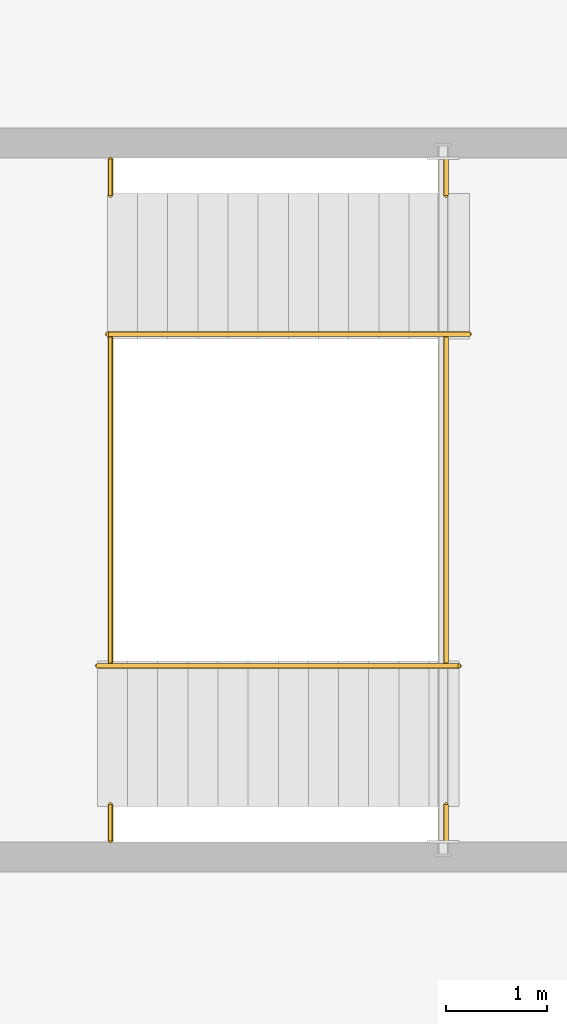
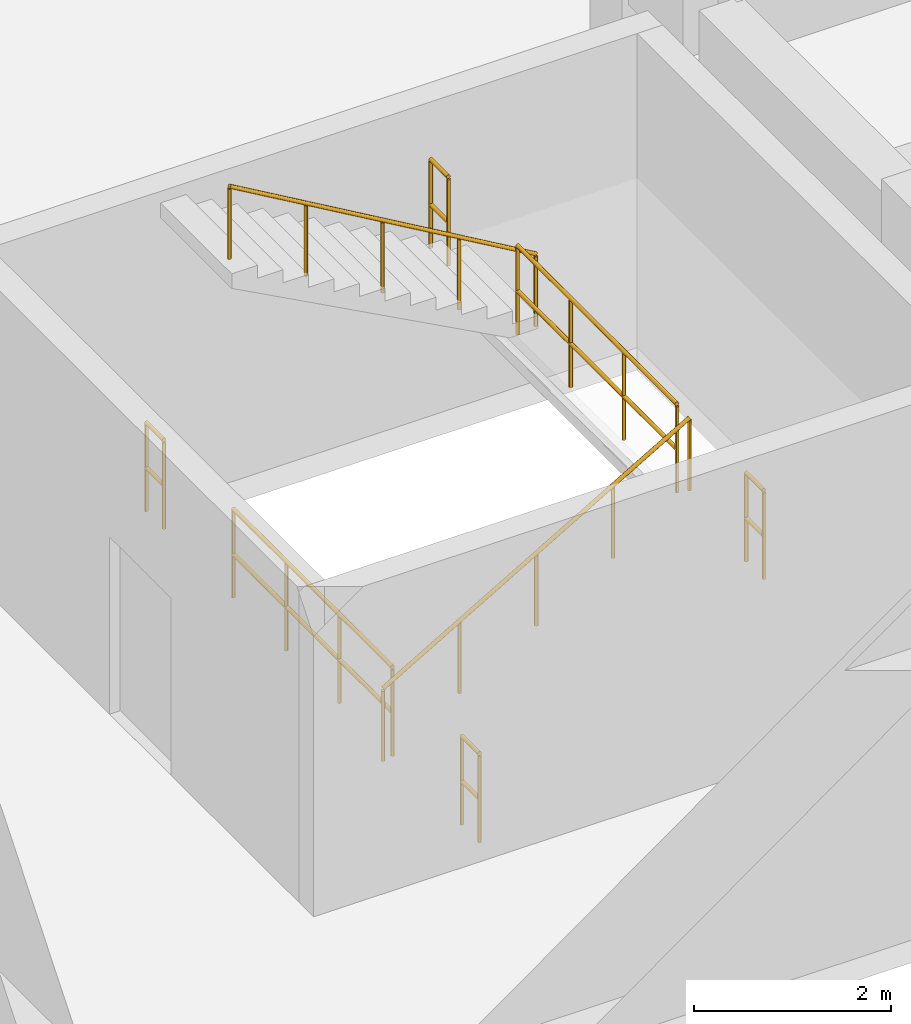
# One storey, part 31 of 35: 8 railings.
"""IFC4 building model written with IfcOpenShell, lengths in metres."""

from ifc_helpers import new_model, si_unit, direction, frame, origin, origin_2d, place, context, subcontext, project, spatial, circle, extrude, material, type_object, element, save


model = new_model("IFC4")

# Units and contexts
model_context = context("Model", 3, precision=1e-05, world=origin(), true_north=direction((0.0, 1.0)))
body_context = subcontext(model_context, "Body", "Model", "MODEL_VIEW")
ifc_project = project(units=[si_unit("LENGTHUNIT", "METRE"), si_unit("AREAUNIT", "SQUARE_METRE"), si_unit("VOLUMEUNIT", "CUBIC_METRE"), si_unit("PLANEANGLEUNIT", "RADIAN"), si_unit("MASSUNIT", "GRAM", prefix="KILO"), si_unit("THERMODYNAMICTEMPERATUREUNIT", "KELVIN"), si_unit("POWERUNIT", "WATT")], contexts=[model_context])

# Site, building, storey
site_placement = place(None, origin())
site = spatial("IfcSite", under=ifc_project, at=site_placement, CompositionType="ELEMENT")
building_placement = place(site_placement, origin())
building = spatial("IfcBuilding", under=site, at=building_placement, Name="Solvatero Civic Police Headquarters", CompositionType="ELEMENT")
storey_placement = place(building_placement, frame((0.0, 0.0, -4.199951171875)))
storey = spatial("IfcBuildingStorey", under=building, at=storey_placement, Name="B01", CompositionType="ELEMENT", Elevation=-4.199951171875)

# Railings
ifc_material_1 = material(Name="Painted Galvanized Steel", Category="steel")
railing_type_1 = type_object("IfcRailingType", Name="RL-GRD-110", PredefinedType="GUARDRAIL", material=ifc_material_1)
railing_1_placement = place(storey_placement, frame((115.429931640625, 9.97998046875, 0.0)))
element("IfcRailing", 1, at=railing_1_placement, inside=storey, type_object=railing_type_1, Name="ST-C5 B01 Floor Well Guardrail", PredefinedType="GUARDRAIL", context=body_context, shape_type="SweptSolid", body=[
    extrude(circle(Radius=0.02392578125, at=origin_2d()), frame((0.0, 0.0, 1.09619140625), z_axis=(0.0, 1.0, 0.0), x_axis=(-1.0, 0.0, 0.0)), (0.0, 0.0, 1.0), 3.239990234375),
    extrude(circle(Radius=0.02392578125, at=origin_2d()), frame((0.0, 0.0, 0.5361328125), z_axis=(0.0, 1.0, 0.0), x_axis=(-1.0, 0.0, 0.0)), (0.0, 0.0, 1.0), 3.239990234375),
    extrude(circle(Radius=0.02099609375, at=origin_2d()), origin(), (0.0, 0.0, 1.0), 1.072021484375),
    extrude(circle(Radius=0.02099609375, at=origin_2d()), frame((0.0, 1.080078125, 0.0)), (0.0, 0.0, 1.0), 1.072021484375),
    extrude(circle(Radius=0.02099609375, at=origin_2d()), frame((0.0, 2.159912109375, 0.0)), (0.0, 0.0, 1.0), 1.072021484375),
    extrude(circle(Radius=0.02099609375, at=origin_2d()), frame((0.0, 3.239990234375, 0.0)), (0.0, 0.0, 1.0), 1.072021484375),
])
for number, where, name in (
    (2, (115.429931640625, 8.2099609375, 0.0), "ST-C5 B01 Floor Well South Slot Guardrail"),
    (3, (115.429931640625, 14.6298828125, 0.0), "ST-C5 B01 Floor Well North Slot Guardrail"),
):
    element("IfcRailing", number, at=place(storey_placement, frame(where)), inside=storey, type_object=railing_type_1, Name=name, PredefinedType="GUARDRAIL", context=body_context, shape_type="SweptSolid", body=[
        extrude(circle(Radius=0.02392578125, at=origin_2d()), frame((0.0, 0.0, 1.09619140625), z_axis=(0.0, 1.0, 0.0), x_axis=(-1.0, 0.0, 0.0)), (0.0, 0.0, 1.0), 0.360107421875),
        extrude(circle(Radius=0.02392578125, at=origin_2d()), frame((0.0, 0.0, 0.5361328125), z_axis=(0.0, 1.0, 0.0), x_axis=(-1.0, 0.0, 0.0)), (0.0, 0.0, 1.0), 0.360107421875),
        extrude(circle(Radius=0.02099609375, at=origin_2d()), origin(), (0.0, 0.0, 1.0), 1.072021484375),
        extrude(circle(Radius=0.02099609375, at=origin_2d()), frame((0.0, 0.360107421875, 0.0)), (0.0, 0.0, 1.0), 1.072021484375),
    ])
railing_2_placement = place(storey_placement, frame((118.77001953125, 9.97998046875, 2.099853515625)))
element("IfcRailing", 4, at=railing_2_placement, inside=storey, type_object=railing_type_1, Name="ST-C5 B01 Half-Landing Well Guardrail", PredefinedType="GUARDRAIL", context=body_context, shape_type="SweptSolid", body=[
    extrude(circle(Radius=0.02392578125, at=origin_2d()), frame((0.0, 0.0, 1.09619140625), z_axis=(0.0, 1.0, 0.0), x_axis=(-1.0, 0.0, 0.0)), (0.0, 0.0, 1.0), 3.239990234375),
    extrude(circle(Radius=0.02392578125, at=origin_2d()), frame((0.0, 0.0, 0.5361328125), z_axis=(0.0, 1.0, 0.0), x_axis=(-1.0, 0.0, 0.0)), (0.0, 0.0, 1.0), 3.239990234375),
    extrude(circle(Radius=0.02099609375, at=origin_2d()), origin(), (0.0, 0.0, 1.0), 1.072021484375),
    extrude(circle(Radius=0.02099609375, at=origin_2d()), frame((0.0, 1.080078125, 0.0)), (0.0, 0.0, 1.0), 1.072021484375),
    extrude(circle(Radius=0.02099609375, at=origin_2d()), frame((0.0, 2.159912109375, 0.0)), (0.0, 0.0, 1.0), 1.072021484375),
    extrude(circle(Radius=0.02099609375, at=origin_2d()), frame((0.0, 3.239990234375, 0.0)), (0.0, 0.0, 1.0), 1.072021484375),
])
for number, where, name in (
    (5, (118.77001953125, 8.2099609375, 2.099853515625), "ST-C5 B01 Half-Landing South Slot Guardrail"),
    (6, (118.77001953125, 14.6298828125, 2.099853515625), "ST-C5 B01 Half-Landing North Slot Guardrail"),
):
    element("IfcRailing", number, at=place(storey_placement, frame(where)), inside=storey, type_object=railing_type_1, Name=name, PredefinedType="GUARDRAIL", context=body_context, shape_type="SweptSolid", body=[
        extrude(circle(Radius=0.02392578125, at=origin_2d()), frame((0.0, 0.0, 1.09619140625), z_axis=(0.0, 1.0, 0.0), x_axis=(-1.0, 0.0, 0.0)), (0.0, 0.0, 1.0), 0.360107421875),
        extrude(circle(Radius=0.02392578125, at=origin_2d()), frame((0.0, 0.0, 0.5361328125), z_axis=(0.0, 1.0, 0.0), x_axis=(-1.0, 0.0, 0.0)), (0.0, 0.0, 1.0), 0.360107421875),
        extrude(circle(Radius=0.02099609375, at=origin_2d()), origin(), (0.0, 0.0, 1.0), 1.072021484375),
        extrude(circle(Radius=0.02099609375, at=origin_2d()), frame((0.0, 0.360107421875, 0.0)), (0.0, 0.0, 1.0), 1.072021484375),
    ])
ifc_material_2 = material(Name="Brushed Stainless Steel", Category="steel")
railing_type_2 = type_object("IfcRailingType", Name="RL-HND-092", PredefinedType="HANDRAIL", material=ifc_material_2)
railing_3_placement = place(storey_placement, frame((115.300048828125, 9.949951171875, 0.0)))
element("IfcRailing", 7, at=railing_3_placement, inside=storey, type_object=railing_type_2, Name="ST-C5 B01 Flight 1 Handrail", PredefinedType="HANDRAIL", context=body_context, shape_type="SweptSolid", body=[
    extrude(circle(Radius=0.02392578125, at=origin_2d()), frame((0.0, 0.0, 0.89599609375), z_axis=(0.86378527499, 0.0, 0.503860098351), x_axis=(0.0, 1.0, 0.0)), (0.0, 0.0, 1.0), 4.16748046875),
    extrude(circle(Radius=0.02099609375, at=origin_2d()), origin(), (0.0, 0.0, 1.0), 0.871826171875),
    extrude(circle(Radius=0.02099609375, at=origin_2d()), frame((0.89990234375, 0.0, 0.52490234375)), (0.0, 0.0, 1.0), 0.871826171875),
    extrude(circle(Radius=0.02099609375, at=origin_2d()), frame((1.7998046875, 0.0, 1.0498046875)), (0.0, 0.0, 1.0), 0.871826171875),
    extrude(circle(Radius=0.02099609375, at=origin_2d()), frame((2.699951171875, 0.0, 1.574951171875)), (0.0, 0.0, 1.0), 0.871826171875),
    extrude(circle(Radius=0.02099609375, at=origin_2d()), frame((3.599853515625, 0.0, 2.099853515625)), (0.0, 0.0, 1.0), 0.871826171875),
])
railing_4_placement = place(storey_placement, frame((119.0, 13.25, 2.099853515625)))
element("IfcRailing", 8, at=railing_4_placement, inside=storey, type_object=railing_type_2, Name="ST-C5 B01 Flight 2 Handrail", PredefinedType="HANDRAIL", context=body_context, shape_type="SweptSolid", body=[
    extrude(circle(Radius=0.02392578125, at=origin_2d()), frame((0.0, 0.0, 0.89599609375), z_axis=(-0.863774651768, 0.0, 0.503878309678), x_axis=(0.0, -1.0, 0.0)), (0.0, 0.0, 1.0), 4.16796875),
    extrude(circle(Radius=0.02099609375, at=origin_2d()), origin(), (0.0, 0.0, 1.0), 0.871826171875),
    extrude(circle(Radius=0.02099609375, at=origin_2d()), frame((-0.89990234375, 0.0, 0.52490234375)), (0.0, 0.0, 1.0), 0.871826171875),
    extrude(circle(Radius=0.02099609375, at=origin_2d()), frame((-1.800048828125, 0.0, 1.050048828125)), (0.0, 0.0, 1.0), 0.871826171875),
    extrude(circle(Radius=0.02099609375, at=origin_2d()), frame((-2.7001953125, 0.0, 1.5751953125)), (0.0, 0.0, 1.0), 0.871826171875),
    extrude(circle(Radius=0.02099609375, at=origin_2d()), frame((-3.60009765625, 0.0, 2.10009765625)), (0.0, 0.0, 1.0), 0.871826171875),
])

save(model, "model.ifc")
